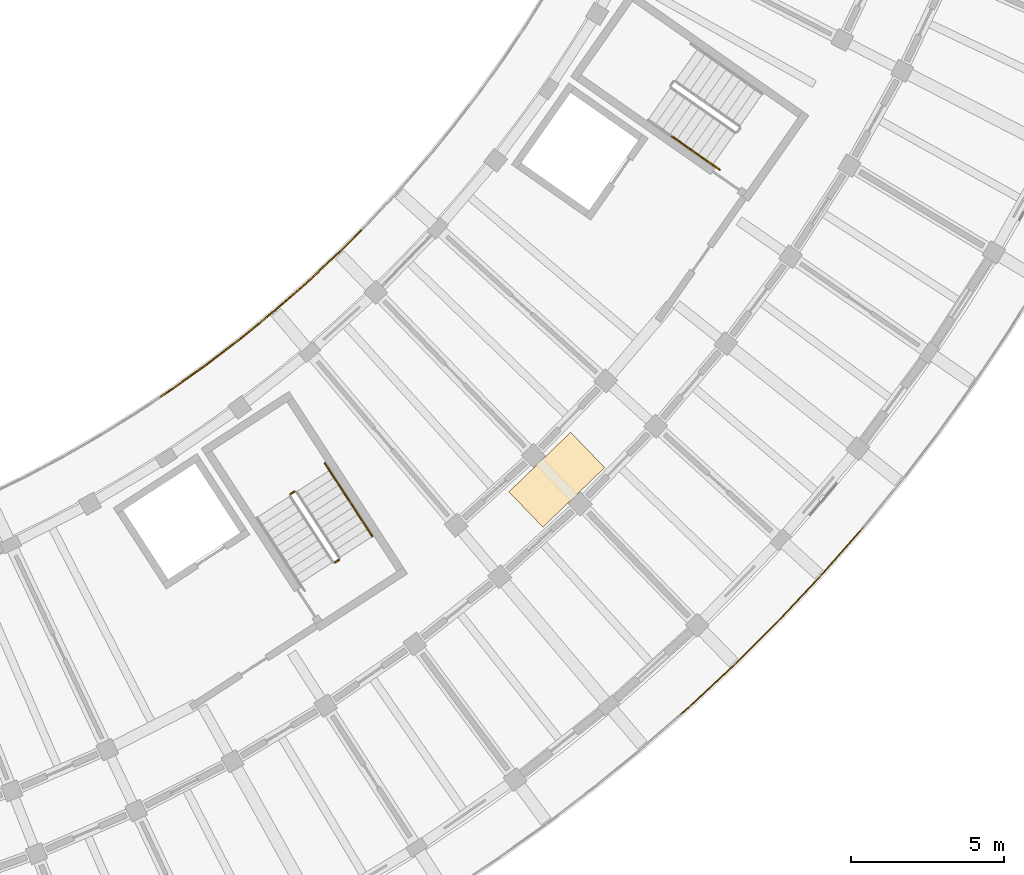
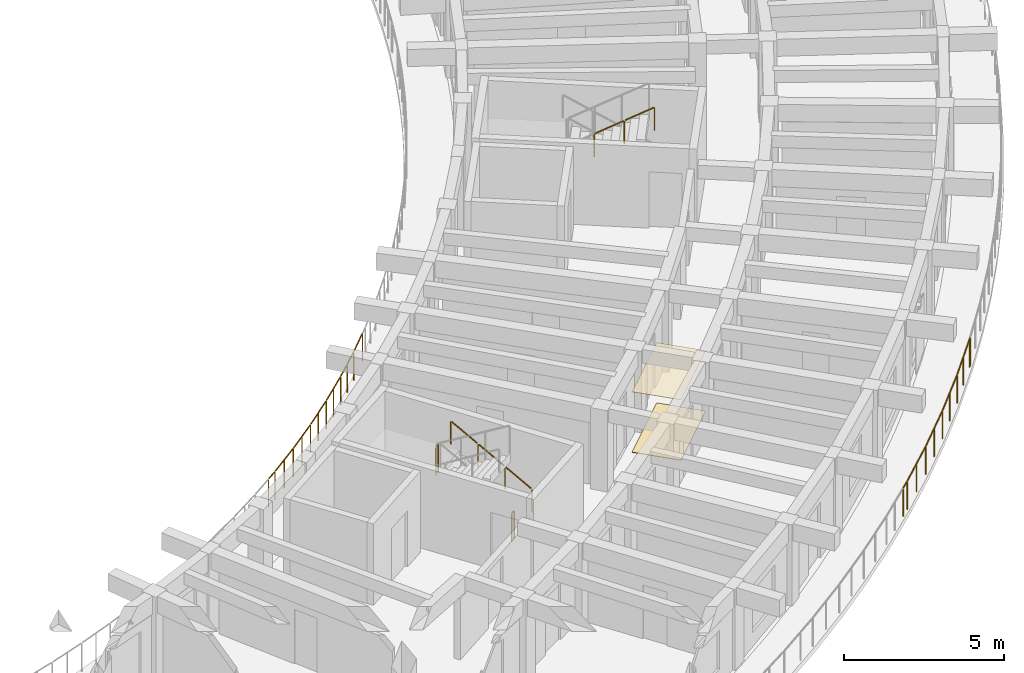
# One storey, part 75 of 81: 9 railings, 2 coverings.
"""IFC4 building model written with IfcOpenShell, lengths in metres."""

from ifc_helpers import new_model, si_unit, direction, frame, origin, origin_2d, place, context, subcontext, project, spatial, rectangle, circle, extrude, material, layer, layer_set, type_object, element, save


model = new_model("IFC4")

# Units and contexts
model_context = context("Model", 3, precision=1e-05, world=origin(), true_north=direction((0.0, 1.0)))
body_context = subcontext(model_context, "Body", "Model", "MODEL_VIEW")
ifc_project = project(units=[si_unit("LENGTHUNIT", "METRE"), si_unit("AREAUNIT", "SQUARE_METRE"), si_unit("VOLUMEUNIT", "CUBIC_METRE"), si_unit("PLANEANGLEUNIT", "RADIAN"), si_unit("MASSUNIT", "GRAM", prefix="KILO")], contexts=[model_context])

# Site, building, storey
site_placement = place(None, origin())
site = spatial("IfcSite", under=ifc_project, at=site_placement, CompositionType="ELEMENT")
building_placement = place(site_placement, origin())
building = spatial("IfcBuilding", under=site, at=building_placement, Name="Tanwirah Colonnade Gardens", CompositionType="ELEMENT")
storey_placement = place(building_placement, frame((0.0, 0.0, 8.840087890625)))
storey = spatial("IfcBuildingStorey", under=building, at=storey_placement, Name="L02", CompositionType="ELEMENT", Elevation=8.840087890625)

# Railings
ifc_material_1 = material(Name="Precast concrete C40/50", Category="concrete")
railing_type_1 = type_object("IfcRailingType", Name="BAL-EXT110", PredefinedType="BALUSTRADE", material=ifc_material_1)
railing_1_placement = place(storey_placement, frame((144.87646484375, 29.129638671875, 0.0)))
element("IfcRailing", 1, at=railing_1_placement, inside=storey, type_object=railing_type_1, Name="Block D L02 Balcony Ribbon Balustrade 3", PredefinedType="BALUSTRADE", context=body_context, shape_type="SweptSolid", body=[
    extrude(circle(Radius=0.02392578125, at=origin_2d()), frame((0.026123046875, 0.017333984375, 1.076171875), z_axis=(0.83213401319, 0.55457459741, 0.0), x_axis=(-0.55457459741, 0.83213401319, 0.0)), (0.0, 0.0, 1.0), 0.385986328125),
    extrude(circle(Radius=0.02392578125, at=origin_2d()), frame((0.40087890625, 0.268310546875, 1.076171875), z_axis=(0.813473063063, 0.581602592558, 0.0), x_axis=(-0.581602592558, 0.813473063063, 0.0)), (0.0, 0.0, 1.0), 1.33154296875),
    extrude(circle(Radius=0.02392578125, at=origin_2d()), frame((1.53662109375, 1.08154296875, 1.076171875), z_axis=(0.793969886309, 0.607957087001, 0.0), x_axis=(-0.607957087001, 0.793969886309, 0.0)), (0.0, 0.0, 1.0), 1.331298828125),
    extrude(circle(Radius=0.02392578125, at=origin_2d()), frame((2.644775390625, 1.931396484375, 1.076171875), z_axis=(0.773762182392, 0.633476191424, 0.0), x_axis=(-0.633476191424, 0.773762182392, 0.0)), (0.0, 0.0, 1.0), 1.33154296875),
    extrude(circle(Radius=0.02392578125, at=origin_2d()), frame((3.724609375, 2.81689453125, 1.076171875), z_axis=(0.752565845379, 0.658517006894, 0.0), x_axis=(-0.658517006894, 0.752565845379, 0.0)), (0.0, 0.0, 1.0), 1.33154296875),
    extrude(circle(Radius=0.02392578125, at=origin_2d()), frame((4.775146484375, 3.737548828125, 1.076171875), z_axis=(0.730612417562, 0.682792424756, 0.0), x_axis=(-0.682792424756, 0.730612417562, 0.0)), (0.0, 0.0, 1.0), 1.331298828125),
    extrude(circle(Radius=0.02392578125, at=origin_2d()), frame((5.794677734375, 4.69189453125, 1.076171875), z_axis=(0.707908164283, 0.70630448883, 0.0), x_axis=(-0.70630448883, 0.707908164283, 0.0)), (0.0, 0.0, 1.0), 1.003173828125),
    extrude(circle(Radius=0.02099609375, at=origin_2d()), origin(), (0.0, 0.0, 1.0), 1.049072265625),
    extrude(circle(Radius=0.02099609375, at=origin_2d()), frame((0.373291015625, 0.248779296875, 0.0)), (0.0, 0.0, 1.0), 1.049072265625),
    extrude(circle(Radius=0.02099609375, at=origin_2d()), frame((0.9423828125, 0.65576171875, 0.0)), (0.0, 0.0, 1.0), 1.049072265625),
    extrude(circle(Radius=0.02099609375, at=origin_2d()), frame((1.509521484375, 1.06103515625, 0.0)), (0.0, 0.0, 1.0), 1.049072265625),
    extrude(circle(Radius=0.02099609375, at=origin_2d()), frame((2.06494140625, 1.486328125, 0.0)), (0.0, 0.0, 1.0), 1.049072265625),
    extrude(circle(Radius=0.02099609375, at=origin_2d()), frame((2.618408203125, 1.909912109375, 0.0)), (0.0, 0.0, 1.0), 1.049072265625),
    extrude(circle(Radius=0.02099609375, at=origin_2d()), frame((3.159912109375, 2.35302734375, 0.0)), (0.0, 0.0, 1.0), 1.049072265625),
    extrude(circle(Radius=0.02099609375, at=origin_2d()), frame((3.69921875, 2.794677734375, 0.0)), (0.0, 0.0, 1.0), 1.049072265625),
    extrude(circle(Radius=0.02099609375, at=origin_2d()), frame((4.2255859375, 3.25537109375, 0.0)), (0.0, 0.0, 1.0), 1.049072265625),
    extrude(circle(Radius=0.02099609375, at=origin_2d()), frame((4.750244140625, 3.71435546875, 0.0)), (0.0, 0.0, 1.0), 1.049072265625),
    extrude(circle(Radius=0.02099609375, at=origin_2d()), frame((5.26123046875, 4.192138671875, 0.0)), (0.0, 0.0, 1.0), 1.049072265625),
    extrude(circle(Radius=0.02099609375, at=origin_2d()), frame((5.7705078125, 4.66796875, 0.0)), (0.0, 0.0, 1.0), 1.049072265625),
    extrude(circle(Radius=0.02099609375, at=origin_2d()), frame((6.52685546875, 5.422607421875, 0.0)), (0.0, 0.0, 1.0), 1.049072265625),
])
railing_2_placement = place(storey_placement, frame((167.766845703125, 24.8408203125, 0.0)))
element("IfcRailing", 2, at=railing_2_placement, inside=storey, type_object=railing_type_1, Name="Block D L02 Balcony Ribbon Balustrade 13", PredefinedType="BALUSTRADE", context=body_context, shape_type="SweptSolid", body=[
    extrude(circle(Radius=0.02392578125, at=origin_2d()), frame((-0.019775390625, -0.024169921875, 1.076171875), z_axis=(-0.635184473402, -0.772360462963, 0.0), x_axis=(0.772360462963, -0.635184473402, 0.0)), (0.0, 0.0, 1.0), 0.019287109375),
    extrude(circle(Radius=0.02392578125, at=origin_2d()), frame((-0.07275390625, -0.086669921875, 1.076171875), z_axis=(-0.660199900943, -0.751089935224, 0.0), x_axis=(0.751089935224, -0.660199900943, 0.0)), (0.0, 0.0, 1.0), 1.944091796875),
    extrude(circle(Radius=0.02392578125, at=origin_2d()), frame((-1.398193359375, -1.593017578125, 1.076171875), z_axis=(-0.684365955264, -0.729138696871, 0.0), x_axis=(0.729138696871, -0.684365955264, 0.0)), (0.0, 0.0, 1.0), 1.944091796875),
    extrude(circle(Radius=0.02392578125, at=origin_2d()), frame((-2.772216796875, -3.055419921875, 1.076171875), z_axis=(-0.707897217537, -0.706315460261, 0.0), x_axis=(0.706315460261, -0.707897217537, 0.0)), (0.0, 0.0, 1.0), 1.944091796875),
    extrude(circle(Radius=0.02392578125, at=origin_2d()), frame((-4.193359375, -4.471923828125, 1.076171875), z_axis=(-0.730610060212, -0.682794947196, 0.0), x_axis=(0.682794947196, -0.730610060212, 0.0)), (0.0, 0.0, 1.0), 1.944091796875),
    extrude(circle(Radius=0.02392578125, at=origin_2d()), frame((-5.659912109375, -5.84130859375, 1.076171875), z_axis=(-0.752306356802, -0.658813437564, 0.0), x_axis=(0.658813437564, -0.752306356802, 0.0)), (0.0, 0.0, 1.0), 0.3291015625),
    extrude(circle(Radius=0.02099609375, at=origin_2d()), origin(), (0.0, 0.0, 1.0), 1.049072265625),
    extrude(circle(Radius=0.02099609375, at=origin_2d()), frame((-0.052001953125, -0.063232421875, 0.0)), (0.0, 0.0, 1.0), 1.049072265625),
    extrude(circle(Radius=0.02099609375, at=origin_2d()), frame((-0.71435546875, -0.81689453125, 0.0)), (0.0, 0.0, 1.0), 1.049072265625),
    extrude(circle(Radius=0.02099609375, at=origin_2d()), frame((-1.376708984375, -1.5703125, 0.0)), (0.0, 0.0, 1.0), 1.049072265625),
    extrude(circle(Radius=0.02099609375, at=origin_2d()), frame((-2.0634765625, -2.3017578125, 0.0)), (0.0, 0.0, 1.0), 1.049072265625),
    extrude(circle(Radius=0.02099609375, at=origin_2d()), frame((-2.75, -3.033447265625, 0.0)), (0.0, 0.0, 1.0), 1.049072265625),
    extrude(circle(Radius=0.02099609375, at=origin_2d()), frame((-3.460205078125, -3.7421875, 0.0)), (0.0, 0.0, 1.0), 1.049072265625),
    extrude(circle(Radius=0.02099609375, at=origin_2d()), frame((-4.17041015625, -4.45068359375, 0.0)), (0.0, 0.0, 1.0), 1.049072265625),
    extrude(circle(Radius=0.02099609375, at=origin_2d()), frame((-4.9033203125, -5.1357421875, 0.0)), (0.0, 0.0, 1.0), 1.049072265625),
    extrude(circle(Radius=0.02099609375, at=origin_2d()), frame((-5.636474609375, -5.82080078125, 0.0)), (0.0, 0.0, 1.0), 1.049072265625),
    extrude(circle(Radius=0.02099609375, at=origin_2d()), frame((-5.93115234375, -6.078857421875, 0.0)), (0.0, 0.0, 1.0), 1.049072265625),
])

# Coverings
ifc_material_2 = material(Name="Acoustic perforated gypsum ceiling board")
ifc_layer_1 = layer(ifc_material_2, 0.014892578125)
ifc_layer_set_1 = layer_set([ifc_layer_1], Name="Acoustic perforated gypsum ceiling board")
covering_type_1 = type_object("IfcCoveringType", Name="COV-CEIL15", PredefinedType="CEILING", material=ifc_layer_set_1)
covering_1_placement = place(storey_placement, frame((157.7822265625, 26.410888671875, 2.3125), z_axis=(0.0, 0.0, 1.0), x_axis=(0.719339800339, 0.694658370459, 0.0)))
element("IfcCovering", 3, at=covering_1_placement, inside=storey, type_object=covering_type_1, Name="Block D L02 Corridor Acoustic Ceiling", PredefinedType="CEILING", context=body_context, shape_type="SweptSolid", body=[
    extrude(rectangle(XDim=2.800048828125, YDim=1.60009765625, at=origin_2d()), origin(), (0.0, 0.0, 1.0), 0.014892578125),
])
ifc_material_3 = material(Name="Honed Abu Dhabi limestone terrazzo flooring", Category="masonry")
ifc_layer_2 = layer(ifc_material_3, 0.02001953125)
ifc_layer_set_2 = layer_set([ifc_layer_2], Name="Honed Abu Dhabi limestone terrazzo flooring")
covering_type_2 = type_object("IfcCoveringType", Name="COV-FLR20", PredefinedType="FLOORING", material=ifc_layer_set_2)
covering_2_placement = place(storey_placement, frame((157.7822265625, 26.410888671875, 0.0), z_axis=(0.0, 0.0, 1.0), x_axis=(0.719339800339, 0.694658370459, 0.0)))
element("IfcCovering", 4, at=covering_2_placement, inside=storey, type_object=covering_type_2, Name="Block D L02 Corridor Terrazzo Flooring", PredefinedType="FLOORING", context=body_context, shape_type="SweptSolid", body=[
    extrude(rectangle(XDim=2.800048828125, YDim=1.60009765625, at=origin_2d()), origin(), (0.0, 0.0, 1.0), 0.02001953125),
])

# Railings
ifc_material_4 = material(Name="Powder-coated galvanized steel", Category="steel")
railing_type_2 = type_object("IfcRailingType", Name="GRD-ST110", PredefinedType="GUARDRAIL", material=ifc_material_4)
for number, where, name in (
    (5, (149.22509765625, 26.03125, 1.679931640625), "L02 ST-D1 stair guard 2"),
    (6, (150.676513671875, 23.79638671875, 0.0), "L02 ST-D1 stair guard 4"),
):
    element("IfcRailing", number, at=place(storey_placement, frame(where)), inside=storey, type_object=railing_type_2, Name=name, PredefinedType="GUARDRAIL", context=body_context, shape_type="SweptSolid", body=[
        extrude(circle(Radius=0.02392578125, at=origin_2d()), frame((-0.026123046875, -0.01708984375, 1.076171875), z_axis=(-0.838791880614, -0.544452184326, 0.0), x_axis=(0.544452184326, -0.838791880614, 0.0)), (0.0, 0.0, 1.0), 0.09765625),
        extrude(circle(Radius=0.02099609375, at=origin_2d()), origin(), (0.0, 0.0, 1.0), 1.049072265625),
        extrude(circle(Radius=0.02099609375, at=origin_2d()), frame((-0.13427734375, -0.087158203125, 0.0)), (0.0, 0.0, 1.0), 1.049072265625),
    ])
ifc_material_5 = material(Name="Brushed bronze stainless steel", Category="steel")
railing_type_3 = type_object("IfcRailingType", Name="HR-ST090", PredefinedType="HANDRAIL", material=ifc_material_5)
railing_3_placement = place(storey_placement, frame((151.7646484375, 24.5625, 0.16796875)))
element("IfcRailing", 7, at=railing_3_placement, inside=storey, type_object=railing_type_3, Name="L02 ST-D1 stair handrail 1", PredefinedType="HANDRAIL", context=body_context, shape_type="SweptSolid", body=[
    extrude(circle(Radius=0.02392578125, at=origin_2d()), frame((-0.0146484375, 0.0224609375, 0.891845703125), z_axis=(-0.467815092293, 0.720598613141, 0.511748647445), x_axis=(-0.838748777278, -0.544518584269, 0.0)), (0.0, 0.0, 1.0), 1.043212890625),
    extrude(circle(Radius=0.02099609375, at=origin_2d()), origin(), (0.0, 0.0, 1.0), 0.848876953125),
    extrude(circle(Radius=0.02099609375, at=origin_2d()), frame((-0.517333984375, 0.796875, 0.56591796875)), (0.0, 0.0, 1.0), 0.848876953125),
])
railing_4_placement = place(storey_placement, frame((151.247314453125, 25.359375, 0.73388671875)))
element("IfcRailing", 8, at=railing_4_placement, inside=storey, type_object=railing_type_3, Name="L02 ST-D1 stair handrail 2", PredefinedType="HANDRAIL", context=body_context, shape_type="SweptSolid", body=[
    extrude(circle(Radius=0.02392578125, at=origin_2d()), frame((-0.0146484375, 0.0224609375, 0.891845703125), z_axis=(-0.467889522294, 0.720492454576, 0.511830067333), x_axis=(-0.838672561027, -0.544635965926, 0.0)), (0.0, 0.0, 1.0), 1.043212890625),
    extrude(circle(Radius=0.02099609375, at=origin_2d()), origin(), (0.0, 0.0, 1.0), 0.848876953125),
    extrude(circle(Radius=0.02099609375, at=origin_2d()), frame((-0.517333984375, 0.796630859375, 0.56591796875)), (0.0, 0.0, 1.0), 0.848876953125),
])
railing_5_placement = place(storey_placement, frame((150.72998046875, 26.156005859375, 1.2998046875)))
element("IfcRailing", 9, at=railing_5_placement, inside=storey, type_object=railing_type_3, Name="L02 ST-D1 stair handrail 3", PredefinedType="HANDRAIL", context=body_context, shape_type="SweptSolid", body=[
    extrude(circle(Radius=0.02392578125, at=origin_2d()), frame((-0.0146484375, 0.0224609375, 0.891845703125), z_axis=(-0.467934656569, 0.720442792, 0.511858711596), x_axis=(-0.838631412534, -0.544699324317, 0.0)), (0.0, 0.0, 1.0), 1.04345703125),
    extrude(circle(Radius=0.02099609375, at=origin_2d()), origin(), (0.0, 0.0, 1.0), 0.848876953125),
    extrude(circle(Radius=0.02099609375, at=origin_2d()), frame((-0.517578125, 0.796875, 0.566162109375)), (0.0, 0.0, 1.0), 0.848876953125),
])
railing_6_placement = place(storey_placement, frame((161.544921875, 37.611572265625, 2.413818359375)))
element("IfcRailing", 10, at=railing_6_placement, inside=storey, type_object=railing_type_3, Name="L02 ST-D2 stair handrail 5", PredefinedType="HANDRAIL", context=body_context, shape_type="SweptSolid", body=[
    extrude(circle(Radius=0.02392578125, at=origin_2d()), frame((0.02197265625, -0.015380859375, 0.891845703125), z_axis=(0.703717970253, -0.492690875033, 0.511895223656), x_axis=(0.573531324472, 0.819183630115, 0.0)), (0.0, 0.0, 1.0), 1.04345703125),
    extrude(circle(Radius=0.02099609375, at=origin_2d()), origin(), (0.0, 0.0, 1.0), 0.848876953125),
    extrude(circle(Radius=0.02099609375, at=origin_2d()), frame((0.7783203125, -0.544921875, 0.566162109375)), (0.0, 0.0, 1.0), 0.848876953125),
])
railing_7_placement = place(storey_placement, frame((162.3232421875, 37.066650390625, 2.97998046875)))
element("IfcRailing", 11, at=railing_7_placement, inside=storey, type_object=railing_type_3, Name="L02 ST-D2 stair handrail 6", PredefinedType="HANDRAIL", context=body_context, shape_type="SweptSolid", body=[
    extrude(circle(Radius=0.02392578125, at=origin_2d()), frame((0.02197265625, -0.015380859375, 0.891845703125), z_axis=(0.703762611354, -0.492655910239, 0.511867503332), x_axis=(0.573479595945, 0.819219844141, 0.0)), (0.0, 0.0, 1.0), 1.04296875),
    extrude(circle(Radius=0.02099609375, at=origin_2d()), origin(), (0.0, 0.0, 1.0), 0.848876953125),
    extrude(circle(Radius=0.02099609375, at=origin_2d()), frame((0.778076171875, -0.544677734375, 0.56591796875)), (0.0, 0.0, 1.0), 0.848876953125),
])

save(model, "model.ifc")
